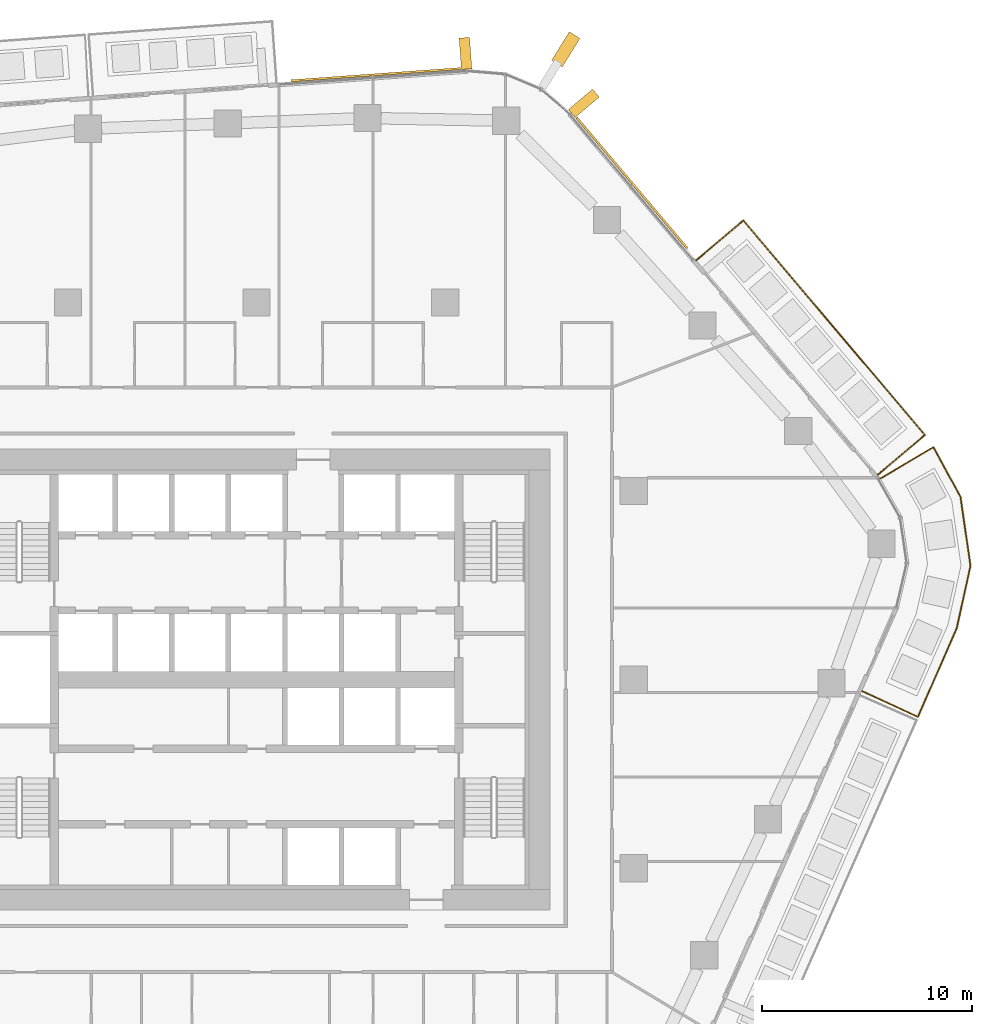
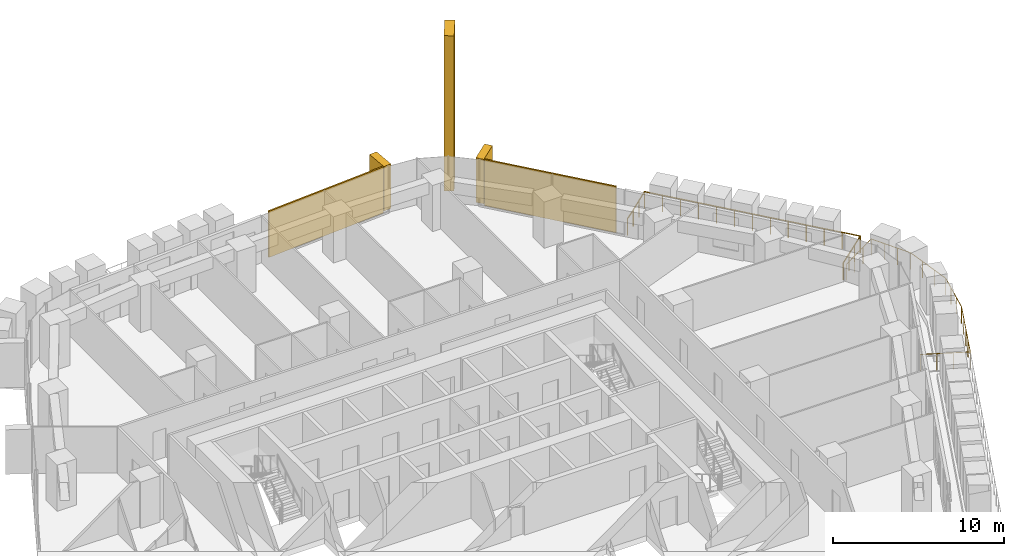
# One storey, part 24 of 24: 5 coverings, 2 railings, 3 elements without a shape of their own.
"""IFC4 building model written with IfcOpenShell, lengths in metres."""

from ifc_helpers import new_model, si_unit, direction, frame, origin, origin_2d, place, context, subcontext, project, spatial, rectangle, circle, extrude, material, layer, layer_set, material_profile, profile_set, type_object, element, aggregate, save


model = new_model("IFC4")

# Units and contexts
model_context = context("Model", 3, precision=1e-05, world=origin(), true_north=direction((0.0, 1.0)))
body_context = subcontext(model_context, "Body", "Model", "MODEL_VIEW")
ifc_project = project(units=[si_unit("LENGTHUNIT", "METRE"), si_unit("AREAUNIT", "SQUARE_METRE"), si_unit("VOLUMEUNIT", "CUBIC_METRE"), si_unit("PLANEANGLEUNIT", "RADIAN"), si_unit("MASSUNIT", "GRAM", prefix="KILO")], contexts=[model_context])

# Site, building, storey
site_placement = place(None, origin())
site = spatial("IfcSite", under=ifc_project, at=site_placement, CompositionType="ELEMENT")
building_placement = place(site_placement, origin())
building = spatial("IfcBuilding", under=site, at=building_placement, Name="Dongbaek Canopy Tower", CompositionType="ELEMENT")
storey_placement = place(building_placement, frame((0.0, 0.0, 106.300048828125)))
storey = spatial("IfcBuildingStorey", under=building, at=storey_placement, Name="L22", CompositionType="ELEMENT", Elevation=106.300048828125)

# Railings
ifc_material_1 = material(Name="Stainless steel", Category="steel")
railing_type = type_object("IfcRailingType", Name="Balcony balustrade 1200", PredefinedType="BALUSTRADE", material=ifc_material_1)
railing_1_placement = place(storey_placement, frame((29.637451171875, 9.777099609375, 0.0)))
element("IfcRailing", 1, at=railing_1_placement, inside=storey, type_object=railing_type, Name="Balcony guard L22 1", PredefinedType="BALUSTRADE", context=body_context, shape_type="SweptSolid", body=[
    extrude(circle(Radius=0.02392578125, at=origin_2d()), frame((0.0, 0.0, 1.17578125), z_axis=(0.763298084693, 0.646046464199, 0.0), x_axis=(-0.646046464199, 0.763298084693, 0.0)), (0.0, 0.0, 1.0), 2.93994140625),
    extrude(circle(Radius=0.02392578125, at=origin_2d()), frame((2.244140625, 1.8994140625, 1.17578125), z_axis=(-0.646054087916, 0.763291632004, 0.0), x_axis=(-0.763291632004, -0.646054087916, 0.0)), (0.0, 0.0, 1.0), 13.40478515625),
    extrude(circle(Radius=0.02392578125, at=origin_2d()), frame((-6.416015625, 12.131103515625, 1.17578125), z_axis=(-0.763298084693, -0.646046464199, 0.0), x_axis=(0.646046464199, -0.763298084693, 0.0)), (0.0, 0.0, 1.0), 2.93994140625),
    extrude(circle(Radius=0.02099609375, at=origin_2d()), origin(), (0.0, 0.0, 1.0), 1.15185546875),
    extrude(circle(Radius=0.02099609375, at=origin_2d()), frame((0.748046875, 0.633056640625, 0.0)), (0.0, 0.0, 1.0), 1.15185546875),
    extrude(circle(Radius=0.02099609375, at=origin_2d()), frame((1.49609375, 1.266357421875, 0.0)), (0.0, 0.0, 1.0), 1.15185546875),
    extrude(circle(Radius=0.02099609375, at=origin_2d()), frame((2.244140625, 1.8994140625, 0.0)), (0.0, 0.0, 1.0), 1.15185546875),
    extrude(circle(Radius=0.02099609375, at=origin_2d()), frame((1.5224609375, 2.751953125, 0.0)), (0.0, 0.0, 1.0), 1.15185546875),
    extrude(circle(Radius=0.02099609375, at=origin_2d()), frame((0.80078125, 3.604736328125, 0.0)), (0.0, 0.0, 1.0), 1.15185546875),
    extrude(circle(Radius=0.02099609375, at=origin_2d()), frame((0.0791015625, 4.457275390625, 0.0)), (0.0, 0.0, 1.0), 1.15185546875),
    extrude(circle(Radius=0.02099609375, at=origin_2d()), frame((-0.642578125, 5.31005859375, 0.0)), (0.0, 0.0, 1.0), 1.15185546875),
    extrude(circle(Radius=0.02099609375, at=origin_2d()), frame((-1.3642578125, 6.16259765625, 0.0)), (0.0, 0.0, 1.0), 1.15185546875),
    extrude(circle(Radius=0.02099609375, at=origin_2d()), frame((-2.0859375, 7.01513671875, 0.0)), (0.0, 0.0, 1.0), 1.15185546875),
    extrude(circle(Radius=0.02099609375, at=origin_2d()), frame((-2.8076171875, 7.867919921875, 0.0)), (0.0, 0.0, 1.0), 1.15185546875),
    extrude(circle(Radius=0.02099609375, at=origin_2d()), frame((-3.529296875, 8.720458984375, 0.0)), (0.0, 0.0, 1.0), 1.15185546875),
    extrude(circle(Radius=0.02099609375, at=origin_2d()), frame((-4.2509765625, 9.5732421875, 0.0)), (0.0, 0.0, 1.0), 1.15185546875),
    extrude(circle(Radius=0.02099609375, at=origin_2d()), frame((-4.97265625, 10.42578125, 0.0)), (0.0, 0.0, 1.0), 1.15185546875),
    extrude(circle(Radius=0.02099609375, at=origin_2d()), frame((-5.6943359375, 11.278564453125, 0.0)), (0.0, 0.0, 1.0), 1.15185546875),
    extrude(circle(Radius=0.02099609375, at=origin_2d()), frame((-6.416015625, 12.131103515625, 0.0)), (0.0, 0.0, 1.0), 1.15185546875),
    extrude(circle(Radius=0.02099609375, at=origin_2d()), frame((-7.1640625, 11.498046875, 0.0)), (0.0, 0.0, 1.0), 1.15185546875),
    extrude(circle(Radius=0.02099609375, at=origin_2d()), frame((-7.912109375, 10.86474609375, 0.0)), (0.0, 0.0, 1.0), 1.15185546875),
    extrude(circle(Radius=0.02099609375, at=origin_2d()), frame((-8.66015625, 10.231689453125, 0.0)), (0.0, 0.0, 1.0), 1.15185546875),
])
railing_2_placement = place(storey_placement, frame((28.88330078125, -0.54150390625, 0.0)))
element("IfcRailing", 2, at=railing_2_placement, inside=storey, type_object=railing_type, Name="Balcony guard L22 6", PredefinedType="BALUSTRADE", context=body_context, shape_type="SweptSolid", body=[
    extrude(circle(Radius=0.02392578125, at=origin_2d()), frame((0.0, 0.0, 1.17578125), z_axis=(0.906642839812, -0.421898993858, 0.0), x_axis=(0.421898993858, 0.906642839812, 0.0)), (0.0, 0.0, 1.0), 2.94091796875),
    extrude(circle(Radius=0.02392578125, at=origin_2d()), frame((2.666259765625, -1.24072265625, 1.17578125), z_axis=(0.400763602333, 0.916181496782, 0.0), x_axis=(-0.916181496782, 0.400763602333, 0.0)), (0.0, 0.0, 1.0), 4.6376953125),
    extrude(circle(Radius=0.02392578125, at=origin_2d()), frame((4.52490234375, 3.00830078125, 1.17578125), z_axis=(0.214659556171, 0.976688934587, 0.0), x_axis=(-0.976688934587, 0.214659556171, 0.0)), (0.0, 0.0, 1.0), 3.0400390625),
    extrude(circle(Radius=0.02392578125, at=origin_2d()), frame((5.177490234375, 5.9775390625, 1.17578125), z_axis=(-0.143186259677, 0.989695758827, 0.0), x_axis=(-0.989695758827, -0.143186259677, 0.0)), (0.0, 0.0, 1.0), 3.311279296875),
    extrude(circle(Radius=0.02392578125, at=origin_2d()), frame((4.703369140625, 9.254638671875, 1.17578125), z_axis=(-0.47715135233, 0.878821134799, 0.0), x_axis=(-0.878821134799, -0.47715135233, 0.0)), (0.0, 0.0, 1.0), 2.717041015625),
    extrude(circle(Radius=0.02392578125, at=origin_2d()), frame((3.406982421875, 11.642333984375, 1.17578125), z_axis=(-0.859471809309, -0.511183146244, 0.0), x_axis=(0.511183146244, -0.859471809309, 0.0)), (0.0, 0.0, 1.0), 2.940673828125),
    extrude(circle(Radius=0.02099609375, at=origin_2d()), origin(), (0.0, 0.0, 1.0), 1.15185546875),
    extrude(circle(Radius=0.02099609375, at=origin_2d()), frame((0.888671875, -0.41357421875, 0.0)), (0.0, 0.0, 1.0), 1.15185546875),
    extrude(circle(Radius=0.02099609375, at=origin_2d()), frame((1.777587890625, -0.8271484375, 0.0)), (0.0, 0.0, 1.0), 1.15185546875),
    extrude(circle(Radius=0.02099609375, at=origin_2d()), frame((2.666259765625, -1.24072265625, 0.0)), (0.0, 0.0, 1.0), 1.15185546875),
    extrude(circle(Radius=0.02099609375, at=origin_2d()), frame((3.130859375, -0.178466796875, 0.0)), (0.0, 0.0, 1.0), 1.15185546875),
    extrude(circle(Radius=0.02099609375, at=origin_2d()), frame((3.595703125, 0.8837890625, 0.0)), (0.0, 0.0, 1.0), 1.15185546875),
    extrude(circle(Radius=0.02099609375, at=origin_2d()), frame((4.060302734375, 1.946044921875, 0.0)), (0.0, 0.0, 1.0), 1.15185546875),
    extrude(circle(Radius=0.02099609375, at=origin_2d()), frame((4.52490234375, 3.00830078125, 0.0)), (0.0, 0.0, 1.0), 1.15185546875),
    extrude(circle(Radius=0.02099609375, at=origin_2d()), frame((4.742431640625, 3.998046875, 0.0)), (0.0, 0.0, 1.0), 1.15185546875),
    extrude(circle(Radius=0.02099609375, at=origin_2d()), frame((4.9599609375, 4.98779296875, 0.0)), (0.0, 0.0, 1.0), 1.15185546875),
    extrude(circle(Radius=0.02099609375, at=origin_2d()), frame((5.177490234375, 5.9775390625, 0.0)), (0.0, 0.0, 1.0), 1.15185546875),
    extrude(circle(Radius=0.02099609375, at=origin_2d()), frame((5.01953125, 7.06982421875, 0.0)), (0.0, 0.0, 1.0), 1.15185546875),
    extrude(circle(Radius=0.02099609375, at=origin_2d()), frame((4.861328125, 8.162353515625, 0.0)), (0.0, 0.0, 1.0), 1.15185546875),
    extrude(circle(Radius=0.02099609375, at=origin_2d()), frame((4.703369140625, 9.254638671875, 0.0)), (0.0, 0.0, 1.0), 1.15185546875),
    extrude(circle(Radius=0.02099609375, at=origin_2d()), frame((4.271240234375, 10.050537109375, 0.0)), (0.0, 0.0, 1.0), 1.15185546875),
    extrude(circle(Radius=0.02099609375, at=origin_2d()), frame((3.839111328125, 10.846435546875, 0.0)), (0.0, 0.0, 1.0), 1.15185546875),
    extrude(circle(Radius=0.02099609375, at=origin_2d()), frame((3.406982421875, 11.642333984375, 0.0)), (0.0, 0.0, 1.0), 1.15185546875),
    extrude(circle(Radius=0.02099609375, at=origin_2d()), frame((2.564453125, 11.141357421875, 0.0)), (0.0, 0.0, 1.0), 1.15185546875),
    extrude(circle(Radius=0.02099609375, at=origin_2d()), frame((1.72216796875, 10.64013671875, 0.0)), (0.0, 0.0, 1.0), 1.15185546875),
    extrude(circle(Radius=0.02099609375, at=origin_2d()), frame((0.879638671875, 10.13916015625, 0.0)), (0.0, 0.0, 1.0), 1.15185546875),
])

# Curtain wall, covering
ifc_material_2 = material(Name="Aluminium 6063-T6 pale anodised", Category="aluminium")
ifc_layer_1 = layer(ifc_material_2, 0.199951171875)
ifc_layer_set_1 = layer_set([ifc_layer_1], Name="CW-1 unitised tower curtain wall")
curtain_wall_type = type_object("IfcCurtainWallType", Name="CW-1 unitised tower curtain wall", PredefinedType="NOTDEFINED", material=ifc_layer_set_1)
curtain_wall_1_placement = place(storey_placement, origin())
curtain_wall_1 = element("IfcCurtainWall", 3, at=curtain_wall_1_placement, inside=storey, type_object=curtain_wall_type, Name="CW-1 curtain wall K1.1", PredefinedType="NOTDEFINED")
ifc_material_3 = material(Name="Aluminium 6063-T6 pale metal fin", Category="aluminium")
ifc_material_profile_1 = material_profile(ifc_material_3, rectangle(XDim=1.60009765625, YDim=0.60009765625, at=origin_2d()), Name="Corner fin CN1 600 x 1600 pale metal")
ifc_profile_set_1 = profile_set([ifc_material_profile_1], Name="Aluminium 6063-T6 pale metal fin")
covering_type_1 = type_object("IfcCoveringType", Name="Corner fin CN1 600 x 1600 pale metal", PredefinedType="CLADDING", material=ifc_profile_set_1)
covering_1_placement = place(storey_placement, frame((14.7529296875, 30.076171875, -0.199951171875), z_axis=(0.0, 0.0, 1.0), x_axis=(0.526936511908, 0.849904649016, 0.0)))
covering_1 = element("IfcCovering", 4, at=covering_1_placement, type_object=covering_type_1, Name="Corner fin L22 L24 K1", PredefinedType="CLADDING", context=body_context, shape_type="SweptSolid", body=[
    extrude(rectangle(XDim=1.60009765625, YDim=0.60009765625, at=origin_2d()), origin(), (0.0, 0.0, 1.0), 11.079833984375),
])
aggregate(curtain_wall_1, [covering_1])

curtain_wall_2_placement = place(storey_placement, origin())
curtain_wall_2 = element("IfcCurtainWall", 5, at=curtain_wall_2_placement, inside=storey, type_object=curtain_wall_type, Name="CW-1 curtain wall F0.1", PredefinedType="NOTDEFINED")
ifc_material_4 = material(Name="Perforated aluminium 6063-T6 pale metal screen", Category="aluminium")
ifc_layer_2 = layer(ifc_material_4, 0.10009765625)
ifc_layer_set_2 = layer_set([ifc_layer_2], Name="Facet screen FS1 100 pale metal")
covering_type_2 = type_object("IfcCoveringType", Name="Facet screen FS1 100 pale metal", PredefinedType="CLADDING", material=ifc_layer_set_2)
covering_2_placement = place(storey_placement, frame((17.907958984375, 23.706298828125, 0.0), z_axis=(0.0, 0.0, 1.0), x_axis=(-0.646056040394, 0.763289979412, 0.0)))
covering_2 = element("IfcCovering", 6, at=covering_2_placement, type_object=covering_type_2, Name="Facet screen L22 F0", PredefinedType="CLADDING", context=body_context, shape_type="SweptSolid", body=[
    extrude(rectangle(XDim=8.1796875, YDim=0.10009765625, at=origin_2d()), origin(), (0.0, 0.0, 1.0), 3.300048828125),
])

curtain_wall_3_placement = place(storey_placement, origin())
curtain_wall_3 = element("IfcCurtainWall", 7, at=curtain_wall_3_placement, inside=storey, type_object=curtain_wall_type, Name="CW-1 curtain wall F1.1", PredefinedType="NOTDEFINED")
covering_3_placement = place(storey_placement, frame((5.68994140625, 28.867919921875, 0.0), z_axis=(0.0, 0.0, 1.0), x_axis=(-0.99742315782, -0.071742903788, 0.0)))
covering_3 = element("IfcCovering", 8, at=covering_3_placement, type_object=covering_type_2, Name="Facet screen L22 F1", PredefinedType="CLADDING", context=body_context, shape_type="SweptSolid", body=[
    extrude(rectangle(XDim=8.09619140625, YDim=0.10009765625, at=origin_2d()), origin(), (0.0, 0.0, 1.0), 3.300048828125),
])

# Covering
ifc_material_5 = material(Name="Aluminium 6063-T6 pale metal fin", Category="aluminium")
ifc_material_profile_2 = material_profile(ifc_material_5, rectangle(XDim=1.5, YDim=0.5, at=origin_2d()), Name="Fin FN1 500 x 1500 pale metal")
ifc_profile_set_2 = profile_set([ifc_material_profile_2], Name="Aluminium 6063-T6 pale metal fin")
covering_type_3 = type_object("IfcCoveringType", Name="Fin FN1 500 x 1500 pale metal", PredefinedType="CLADDING", material=ifc_profile_set_2)
covering_4_placement = place(storey_placement, frame((15.61572265625, 27.50439453125, 0.119873046875), z_axis=(0.0, 0.0, 1.0), x_axis=(0.763289924972, 0.646056104712, 0.0)))
covering_4 = element("IfcCovering", 9, at=covering_4_placement, type_object=covering_type_3, Name="Fin F0.1.3", PredefinedType="CLADDING", context=body_context, shape_type="SweptSolid", body=[
    extrude(rectangle(XDim=1.5, YDim=0.5, at=origin_2d()), origin(), (0.0, 0.0, 1.0), 3.18017578125),
])

aggregate(curtain_wall_2, [covering_4, covering_2])

covering_5_placement = place(storey_placement, frame((9.96630859375, 29.88134765625, 0.119873046875), z_axis=(0.0, 0.0, 1.0), x_axis=(-0.071742796309, 0.997423165551, 0.0)))
covering_5 = element("IfcCovering", 10, at=covering_5_placement, type_object=covering_type_3, Name="Fin F1.1.1", PredefinedType="CLADDING", context=body_context, shape_type="SweptSolid", body=[
    extrude(rectangle(XDim=1.5, YDim=0.5, at=origin_2d()), origin(), (0.0, 0.0, 1.0), 3.18017578125),
])

aggregate(curtain_wall_3, [covering_5, covering_3])

save(model, "model.ifc")
